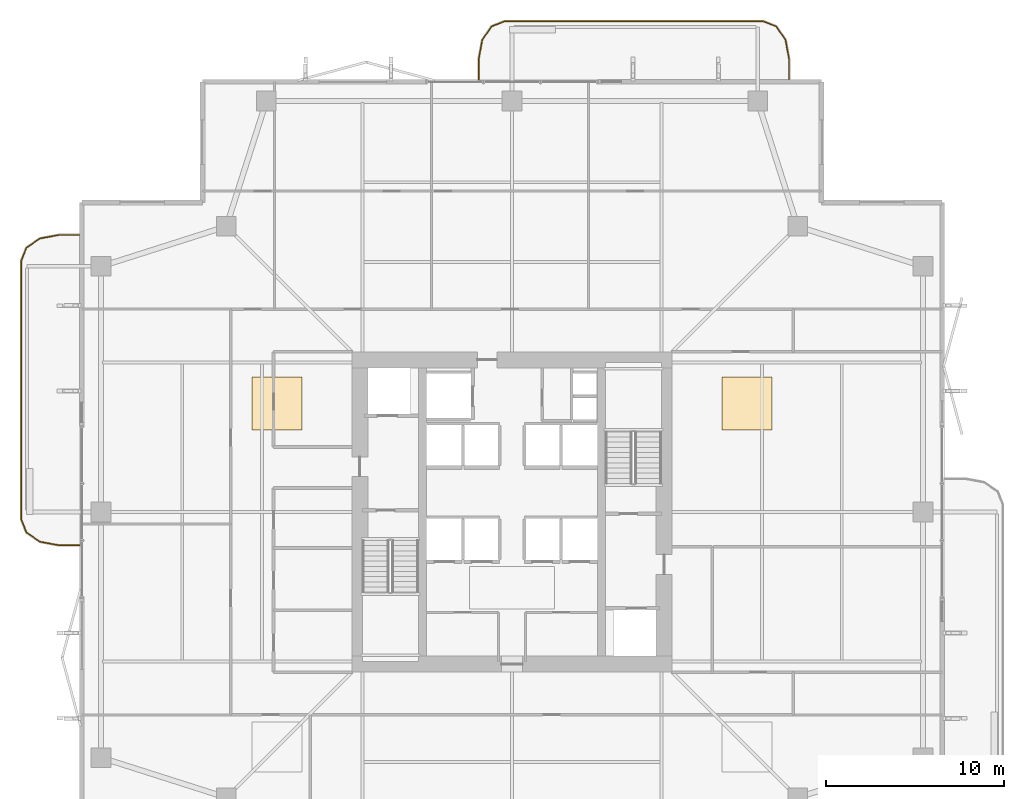
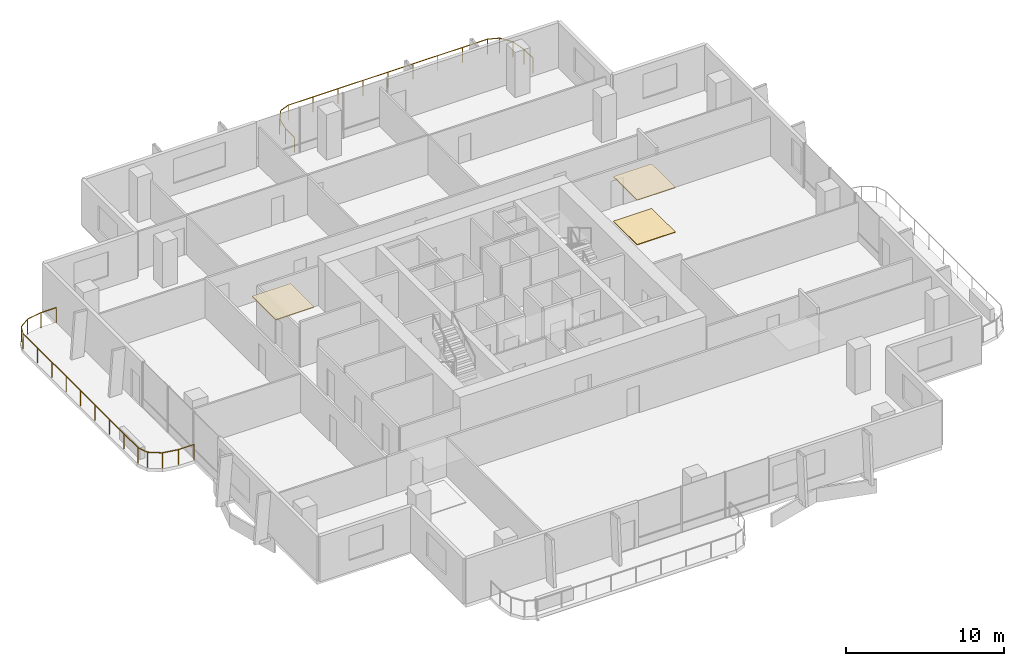
# One storey, part 25 of 25: 3 coverings, 2 railings.
"""IFC4 building model written with IfcOpenShell, lengths in metres."""

from ifc_helpers import new_model, si_unit, direction, frame, origin, origin_2d, place, context, subcontext, project, spatial, polyline, rectangle, outline, extrude, material, layer, layer_set, type_object, element, save


model = new_model("IFC4")

# Units and contexts
model_context = context("Model", 3, precision=1e-05, world=origin(), true_north=direction((0.0, 1.0)))
body_context = subcontext(model_context, "Body", "Model", "MODEL_VIEW")
ifc_project = project(units=[si_unit("LENGTHUNIT", "METRE"), si_unit("AREAUNIT", "SQUARE_METRE"), si_unit("VOLUMEUNIT", "CUBIC_METRE"), si_unit("PLANEANGLEUNIT", "RADIAN"), si_unit("MASSUNIT", "GRAM", prefix="KILO")], contexts=[model_context])

# Site, building, storey
site_placement = place(None, origin())
site = spatial("IfcSite", under=ifc_project, at=site_placement, CompositionType="ELEMENT")
building_placement = place(site_placement, origin())
building = spatial("IfcBuilding", under=site, at=building_placement, Name="Belovzor Exchange Tower", CompositionType="ELEMENT")
storey_placement = place(building_placement, frame((0.0, 0.0, 183.300048828125)))
storey = spatial("IfcBuildingStorey", under=building, at=storey_placement, Name="L45", CompositionType="ELEMENT", Elevation=183.300048828125)

# Railings
ifc_material_1 = material(Name="Stainless Steel and Laminated Safety Glass", Category="steel")
railing_type = type_object("IfcRailingType", Name="Laminated Glass & Stainless Steel Balcony Balustrade 1200", PredefinedType="BALUSTRADE", material=ifc_material_1)
railing_1_placement = place(storey_placement, frame((44.3701171875, 53.110107421875, 0.0)))
element("IfcRailing", 1, at=railing_1_placement, inside=storey, type_object=railing_type, Name="GR-1 Balcony Balustrade L45 North", PredefinedType="BALUSTRADE", context=body_context, shape_type="SweptSolid", body=[
    extrude(rectangle(XDim=0.048095703125, YDim=0.048095703125, at=origin_2d()), frame((0.0, 0.0, 1.17578125), z_axis=(0.0, 1.0, 0.0), x_axis=(-1.0, 0.0, 0.0)), (0.0, 0.0, 1.0), 1.1328125),
    extrude(rectangle(XDim=0.048095703125, YDim=0.048095703125, at=origin_2d()), frame((0.0, 1.1328125, 1.17578125), z_axis=(-0.180083182347, 0.983651385113, 0.0), x_axis=(-0.983651385113, -0.180083182347, 0.0)), (0.0, 0.0, 1.0), 1.093994140625),
    extrude(rectangle(XDim=0.048095703125, YDim=0.048095703125, at=origin_2d()), frame((-0.197021484375, 2.208984375, 1.17578125), z_axis=(-0.56294695933, 0.826493025367, 0.0), x_axis=(-0.826493025367, -0.56294695933, 0.0)), (0.0, 0.0, 1.0), 0.932861328125),
    extrude(rectangle(XDim=0.048095703125, YDim=0.048095703125, at=origin_2d()), frame((-0.72216796875, 2.97998046875, 1.17578125), z_axis=(-0.930766990125, 0.365612923861, 0.0), x_axis=(-0.365612923861, -0.930766990125, 0.0)), (0.0, 0.0, 1.0), 0.765869140625),
    extrude(rectangle(XDim=0.048095703125, YDim=0.048095703125, at=origin_2d()), frame((-1.43505859375, 3.260009765625, 1.17578125), z_axis=(-1.0, 0.0, 0.0), x_axis=(0.0, -1.0, 0.0)), (0.0, 0.0, 1.0), 14.570068359375),
    extrude(rectangle(XDim=0.048095703125, YDim=0.048095703125, at=origin_2d()), frame((-16.005126953125, 3.260009765625, 1.17578125), z_axis=(-0.930766990125, -0.365612923861, 0.0), x_axis=(0.365612923861, -0.930766990125, 0.0)), (0.0, 0.0, 1.0), 0.765869140625),
    extrude(rectangle(XDim=0.048095703125, YDim=0.048095703125, at=origin_2d()), frame((-16.718017578125, 2.97998046875, 1.17578125), z_axis=(-0.56294695933, -0.826493025367, 0.0), x_axis=(0.826493025367, -0.56294695933, 0.0)), (0.0, 0.0, 1.0), 0.932861328125),
    extrude(rectangle(XDim=0.048095703125, YDim=0.048095703125, at=origin_2d()), frame((-17.2431640625, 2.208984375, 1.17578125), z_axis=(-0.180083182347, -0.983651385113, 0.0), x_axis=(0.983651385113, -0.180083182347, 0.0)), (0.0, 0.0, 1.0), 1.093994140625),
    extrude(rectangle(XDim=0.048095703125, YDim=0.048095703125, at=origin_2d()), frame((-17.440185546875, 1.1328125, 1.17578125), z_axis=(0.0, -1.0, 0.0), x_axis=(1.0, 0.0, 0.0)), (0.0, 0.0, 1.0), 1.1328125),
    extrude(rectangle(XDim=0.0419921875, YDim=0.0419921875, at=origin_2d()), origin(), (0.0, 0.0, 1.0), 1.15185546875),
    extrude(rectangle(XDim=0.0419921875, YDim=0.0419921875, at=origin_2d()), frame((0.0, 1.1328125, 0.0)), (0.0, 0.0, 1.0), 1.15185546875),
    extrude(rectangle(XDim=0.0419921875, YDim=0.0419921875, at=origin_2d()), frame((-0.197021484375, 2.208984375, 0.0)), (0.0, 0.0, 1.0), 1.15185546875),
    extrude(rectangle(XDim=0.0419921875, YDim=0.0419921875, at=origin_2d()), frame((-0.72216796875, 2.97998046875, 0.0)), (0.0, 0.0, 1.0), 1.15185546875),
    extrude(rectangle(XDim=0.0419921875, YDim=0.0419921875, at=origin_2d()), frame((-1.43505859375, 3.260009765625, 0.0)), (0.0, 0.0, 1.0), 1.15185546875),
    extrude(rectangle(XDim=0.0419921875, YDim=0.0419921875, at=origin_2d()), frame((-3.25634765625, 3.260009765625, 0.0)), (0.0, 0.0, 1.0), 1.15185546875),
    extrude(rectangle(XDim=0.0419921875, YDim=0.0419921875, at=origin_2d()), frame((-5.07763671875, 3.260009765625, 0.0)), (0.0, 0.0, 1.0), 1.15185546875),
    extrude(rectangle(XDim=0.0419921875, YDim=0.0419921875, at=origin_2d()), frame((-6.89892578125, 3.260009765625, 0.0)), (0.0, 0.0, 1.0), 1.15185546875),
    extrude(rectangle(XDim=0.0419921875, YDim=0.0419921875, at=origin_2d()), frame((-8.72021484375, 3.260009765625, 0.0)), (0.0, 0.0, 1.0), 1.15185546875),
    extrude(rectangle(XDim=0.0419921875, YDim=0.0419921875, at=origin_2d()), frame((-10.541259765625, 3.260009765625, 0.0)), (0.0, 0.0, 1.0), 1.15185546875),
    extrude(rectangle(XDim=0.0419921875, YDim=0.0419921875, at=origin_2d()), frame((-12.362548828125, 3.260009765625, 0.0)), (0.0, 0.0, 1.0), 1.15185546875),
    extrude(rectangle(XDim=0.0419921875, YDim=0.0419921875, at=origin_2d()), frame((-14.183837890625, 3.260009765625, 0.0)), (0.0, 0.0, 1.0), 1.15185546875),
    extrude(rectangle(XDim=0.0419921875, YDim=0.0419921875, at=origin_2d()), frame((-16.005126953125, 3.260009765625, 0.0)), (0.0, 0.0, 1.0), 1.15185546875),
    extrude(rectangle(XDim=0.0419921875, YDim=0.0419921875, at=origin_2d()), frame((-16.718017578125, 2.97998046875, 0.0)), (0.0, 0.0, 1.0), 1.15185546875),
    extrude(rectangle(XDim=0.0419921875, YDim=0.0419921875, at=origin_2d()), frame((-17.2431640625, 2.208984375, 0.0)), (0.0, 0.0, 1.0), 1.15185546875),
    extrude(rectangle(XDim=0.0419921875, YDim=0.0419921875, at=origin_2d()), frame((-17.440185546875, 1.1328125, 0.0)), (0.0, 0.0, 1.0), 1.15185546875),
    extrude(rectangle(XDim=0.0419921875, YDim=0.0419921875, at=origin_2d()), frame((-17.440185546875, 0.0, 0.0)), (0.0, 0.0, 1.0), 1.15185546875),
])
railing_2_placement = place(storey_placement, frame((4.489990234375, 44.3701171875, 0.0)))
element("IfcRailing", 2, at=railing_2_placement, inside=storey, type_object=railing_type, Name="GR-1 Balcony Balustrade L45 West", PredefinedType="BALUSTRADE", context=body_context, shape_type="SweptSolid", body=[
    extrude(rectangle(XDim=0.048095703125, YDim=0.048095703125, at=origin_2d()), frame((0.0, 0.0, 1.17578125), z_axis=(-1.0, 0.0, 0.0), x_axis=(0.0, -1.0, 0.0)), (0.0, 0.0, 1.0), 1.133056640625),
    extrude(rectangle(XDim=0.048095703125, YDim=0.048095703125, at=origin_2d()), frame((-1.133056640625, 0.0, 1.17578125), z_axis=(-0.983644145941, -0.180122719713, 0.0), x_axis=(0.180122719713, -0.983644145941, 0.0)), (0.0, 0.0, 1.0), 1.09375),
    extrude(rectangle(XDim=0.048095703125, YDim=0.048095703125, at=origin_2d()), frame((-2.208984375, -0.197021484375, 1.17578125), z_axis=(-0.826493025367, -0.56294695933, 0.0), x_axis=(0.56294695933, -0.826493025367, 0.0)), (0.0, 0.0, 1.0), 0.932861328125),
    extrude(rectangle(XDim=0.048095703125, YDim=0.048095703125, at=origin_2d()), frame((-2.97998046875, -0.72216796875, 1.17578125), z_axis=(-0.365612923861, -0.930766990125, 0.0), x_axis=(0.930766990125, -0.365612923861, 0.0)), (0.0, 0.0, 1.0), 0.765869140625),
    extrude(rectangle(XDim=0.048095703125, YDim=0.048095703125, at=origin_2d()), frame((-3.260009765625, -1.43505859375, 1.17578125), z_axis=(0.0, -1.0, 0.0), x_axis=(1.0, 0.0, 0.0)), (0.0, 0.0, 1.0), 14.570068359375),
    extrude(rectangle(XDim=0.048095703125, YDim=0.048095703125, at=origin_2d()), frame((-3.260009765625, -16.005126953125, 1.17578125), z_axis=(0.365612923861, -0.930766990125, 0.0), x_axis=(0.930766990125, 0.365612923861, 0.0)), (0.0, 0.0, 1.0), 0.765869140625),
    extrude(rectangle(XDim=0.048095703125, YDim=0.048095703125, at=origin_2d()), frame((-2.97998046875, -16.718017578125, 1.17578125), z_axis=(0.826493025367, -0.56294695933, 0.0), x_axis=(0.56294695933, 0.826493025367, 0.0)), (0.0, 0.0, 1.0), 0.932861328125),
    extrude(rectangle(XDim=0.048095703125, YDim=0.048095703125, at=origin_2d()), frame((-2.208984375, -17.2431640625, 1.17578125), z_axis=(0.983644145941, -0.180122719713, 0.0), x_axis=(0.180122719713, 0.983644145941, 0.0)), (0.0, 0.0, 1.0), 1.09375),
    extrude(rectangle(XDim=0.048095703125, YDim=0.048095703125, at=origin_2d()), frame((-1.133056640625, -17.440185546875, 1.17578125), z_axis=(1.0, 0.0, 0.0), x_axis=(0.0, 1.0, 0.0)), (0.0, 0.0, 1.0), 1.133056640625),
    extrude(rectangle(XDim=0.0419921875, YDim=0.0419921875, at=origin_2d()), origin(), (0.0, 0.0, 1.0), 1.15185546875),
    extrude(rectangle(XDim=0.0419921875, YDim=0.0419921875, at=origin_2d()), frame((-1.133056640625, 0.0, 0.0)), (0.0, 0.0, 1.0), 1.15185546875),
    extrude(rectangle(XDim=0.0419921875, YDim=0.0419921875, at=origin_2d()), frame((-2.208984375, -0.197021484375, 0.0)), (0.0, 0.0, 1.0), 1.15185546875),
    extrude(rectangle(XDim=0.0419921875, YDim=0.0419921875, at=origin_2d()), frame((-2.97998046875, -0.72216796875, 0.0)), (0.0, 0.0, 1.0), 1.15185546875),
    extrude(rectangle(XDim=0.0419921875, YDim=0.0419921875, at=origin_2d()), frame((-3.260009765625, -1.43505859375, 0.0)), (0.0, 0.0, 1.0), 1.15185546875),
    extrude(rectangle(XDim=0.0419921875, YDim=0.0419921875, at=origin_2d()), frame((-3.260009765625, -3.25634765625, 0.0)), (0.0, 0.0, 1.0), 1.15185546875),
    extrude(rectangle(XDim=0.0419921875, YDim=0.0419921875, at=origin_2d()), frame((-3.260009765625, -5.07763671875, 0.0)), (0.0, 0.0, 1.0), 1.15185546875),
    extrude(rectangle(XDim=0.0419921875, YDim=0.0419921875, at=origin_2d()), frame((-3.260009765625, -6.89892578125, 0.0)), (0.0, 0.0, 1.0), 1.15185546875),
    extrude(rectangle(XDim=0.0419921875, YDim=0.0419921875, at=origin_2d()), frame((-3.260009765625, -8.72021484375, 0.0)), (0.0, 0.0, 1.0), 1.15185546875),
    extrude(rectangle(XDim=0.0419921875, YDim=0.0419921875, at=origin_2d()), frame((-3.260009765625, -10.541259765625, 0.0)), (0.0, 0.0, 1.0), 1.15185546875),
    extrude(rectangle(XDim=0.0419921875, YDim=0.0419921875, at=origin_2d()), frame((-3.260009765625, -12.362548828125, 0.0)), (0.0, 0.0, 1.0), 1.15185546875),
    extrude(rectangle(XDim=0.0419921875, YDim=0.0419921875, at=origin_2d()), frame((-3.260009765625, -14.183837890625, 0.0)), (0.0, 0.0, 1.0), 1.15185546875),
    extrude(rectangle(XDim=0.0419921875, YDim=0.0419921875, at=origin_2d()), frame((-3.260009765625, -16.005126953125, 0.0)), (0.0, 0.0, 1.0), 1.15185546875),
    extrude(rectangle(XDim=0.0419921875, YDim=0.0419921875, at=origin_2d()), frame((-2.97998046875, -16.718017578125, 0.0)), (0.0, 0.0, 1.0), 1.15185546875),
    extrude(rectangle(XDim=0.0419921875, YDim=0.0419921875, at=origin_2d()), frame((-2.208984375, -17.2431640625, 0.0)), (0.0, 0.0, 1.0), 1.15185546875),
    extrude(rectangle(XDim=0.0419921875, YDim=0.0419921875, at=origin_2d()), frame((-1.133056640625, -17.440185546875, 0.0)), (0.0, 0.0, 1.0), 1.15185546875),
    extrude(rectangle(XDim=0.0419921875, YDim=0.0419921875, at=origin_2d()), frame((0.0, -17.440185546875, 0.0)), (0.0, 0.0, 1.0), 1.15185546875),
])

# Coverings
ifc_material_2 = material(Name="Perforated Powder-Coated Aluminium", Category="aluminium")
ifc_layer_1 = layer(ifc_material_2, 0.06005859375)
ifc_layer_set_1 = layer_set([ifc_layer_1], Name="Perforated Powder-Coated Aluminium")
covering_type_1 = type_object("IfcCoveringType", Name="Perforated Acoustic Metal Tile Suspended Ceiling 60", PredefinedType="CEILING", material=ifc_layer_set_1)
covering_1_placement = place(storey_placement, frame((0.0, 0.0, 3.43505859375)))
element("IfcCovering", 3, at=covering_1_placement, inside=storey, type_object=covering_type_1, Name="CLG-AC60 Suspended Ceiling CLG-L45-Z2", PredefinedType="CEILING", context=body_context, shape_type="SweptSolid", body=[
    extrude(outline(polyline([(40.60009765625, 33.39990234375), (43.39990234375, 33.39990234375), (43.39990234375, 36.39990234375), (40.60009765625, 36.39990234375), (40.60009765625, 33.39990234375)])), origin(), (0.0, 0.0, 1.0), 0.059814453125),
])
covering_2_placement = place(storey_placement, frame((0.0, 0.0, 3.43505859375)))
element("IfcCovering", 4, at=covering_2_placement, inside=storey, type_object=covering_type_1, Name="CLG-AC60 Suspended Ceiling CLG-L45-Z3", PredefinedType="CEILING", context=body_context, shape_type="SweptSolid", body=[
    extrude(outline(polyline([(14.199951171875, 33.39990234375), (17.0, 33.39990234375), (17.0, 36.39990234375), (14.199951171875, 36.39990234375), (14.199951171875, 33.39990234375)])), origin(), (0.0, 0.0, 1.0), 0.059814453125),
])
ifc_material_3 = material(Name="Polished Natural Granite Tile", Category="masonry")
ifc_layer_2 = layer(ifc_material_3, 0.050048828125)
ifc_layer_set_2 = layer_set([ifc_layer_2], Name="Polished Natural Granite Tile")
covering_type_2 = type_object("IfcCoveringType", Name="Polished Karelian Granite & Raised Access Floor Finish 50", PredefinedType="FLOORING", material=ifc_layer_set_2)
covering_3_placement = place(storey_placement, origin())
element("IfcCovering", 5, at=covering_3_placement, inside=storey, type_object=covering_type_2, Name="FLR-GR50 Floor Finish FLR-L45-Z2", PredefinedType="FLOORING", context=body_context, shape_type="SweptSolid", body=[
    extrude(outline(polyline([(40.60009765625, 33.39990234375), (43.39990234375, 33.39990234375), (43.39990234375, 36.39990234375), (40.60009765625, 36.39990234375), (40.60009765625, 33.39990234375)])), origin(), (0.0, 0.0, 1.0), 0.050048828125),
])

save(model, "model.ifc")
